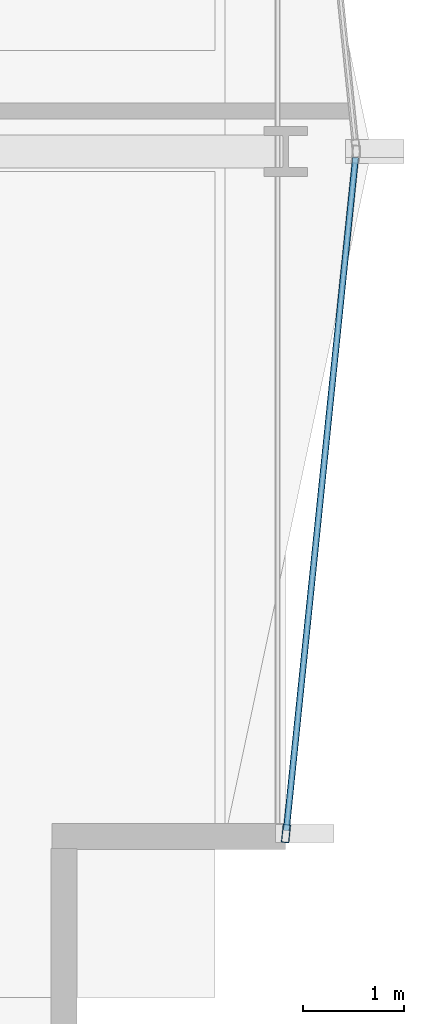
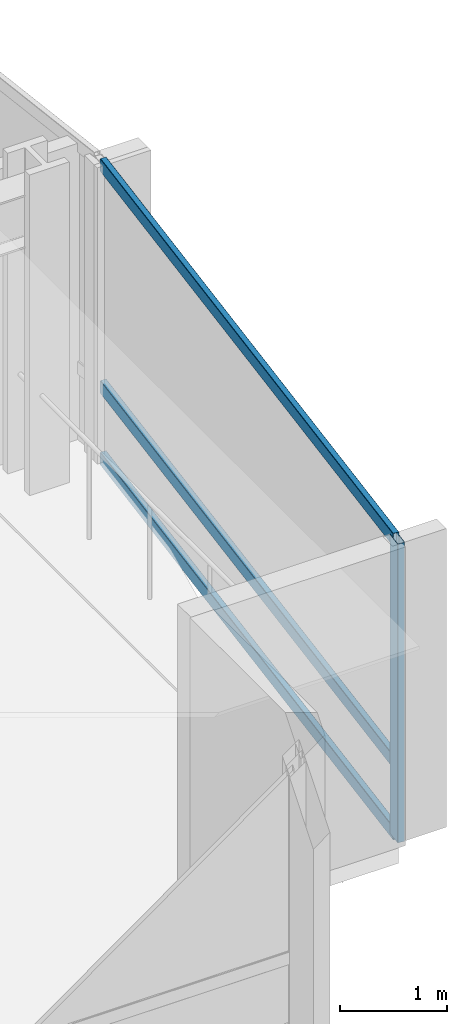
# One storey, part 13 of 34: 4 members, 1 element without a shape of its own.
"""IFC4 building model written with IfcOpenShell, lengths in metres."""

from ifc_helpers import new_model, si_unit, direction, frame, origin, origin_2d, place, context, subcontext, project, spatial, hollow_rectangle, extrude, material, layer, layer_set, material_profile, profile_set, type_object, element, aggregate, save


model = new_model("IFC4")

# Units and contexts
model_context = context("Model", 3, precision=1e-05, world=origin(), true_north=direction((0.0, 1.0)))
body_context = subcontext(model_context, "Body", "Model", "MODEL_VIEW")
ifc_project = project(units=[si_unit("LENGTHUNIT", "METRE"), si_unit("AREAUNIT", "SQUARE_METRE"), si_unit("VOLUMEUNIT", "CUBIC_METRE"), si_unit("PLANEANGLEUNIT", "RADIAN"), si_unit("MASSUNIT", "GRAM", prefix="KILO")], contexts=[model_context])

# Site, building, storey
site_placement = place(None, origin())
site = spatial("IfcSite", under=ifc_project, at=site_placement, CompositionType="ELEMENT")
building_placement = place(site_placement, origin())
building = spatial("IfcBuilding", under=site, at=building_placement, Name="Solvaryn Broadcast Tower", CompositionType="ELEMENT")
storey_placement = place(building_placement, frame((0.0, 0.0, 61.89990234375)))
storey = spatial("IfcBuildingStorey", under=building, at=storey_placement, Name="L14", CompositionType="ELEMENT", Elevation=61.89990234375)

# Curtain wall, members
ifc_material_1 = material(Name="Aluminium and Terracotta Unitised Curtain Wall", Category="masonry")
ifc_layer = layer(ifc_material_1, 0.199951171875)
ifc_layer_set = layer_set([ifc_layer], Name="CW-SYS2-LOWMID")
curtain_wall_type = type_object("IfcCurtainWallType", Name="CW-SYS2-LOWMID", PredefinedType="NOTDEFINED", material=ifc_layer_set)
curtain_wall_placement = place(storey_placement, origin())
curtain_wall = element("IfcCurtainWall", 1, at=curtain_wall_placement, inside=storey, type_object=curtain_wall_type, Name="L14 Curtain Wall ET2", PredefinedType="NOTDEFINED")
ifc_material_2 = material(Name="Anodised Aluminium 6063-T6", Category="aluminium")
ifc_material_profile_1 = material_profile(ifc_material_2, hollow_rectangle(XDim=0.074951171875, YDim=0.179931640625, WallThickness=0.00390625, InnerFilletRadius=0.00390625, OuterFilletRadius=0.008056640625, at=origin_2d()))
ifc_profile_set_1 = profile_set([ifc_material_profile_1], Name="Anodised Aluminium 6063-T6")
member_type_1 = type_object("IfcMemberType", Name="CW-MUL-180", PredefinedType="MULLION", material=ifc_profile_set_1)
member_1_placement = place(storey_placement, frame((63.003173828125, 11.229736328125, 0.0), z_axis=(0.0, 0.0, 1.0), x_axis=(0.99474329889, -0.10240004548, 0.0)))
member_1 = element("IfcMember", 2, at=member_1_placement, type_object=member_type_1, Name="CWS2 mullion 2", PredefinedType="MULLION", context=body_context, shape_type="SweptSolid", body=[
    extrude(hollow_rectangle(XDim=0.074951171875, YDim=0.179931640625, WallThickness=0.00390625, InnerFilletRadius=0.00390625, OuterFilletRadius=0.008056640625, at=origin_2d()), origin(), (0.0, 0.0, 1.0), 3.420166015625),
])
ifc_material_3 = material(Name="Anodised Aluminium 6063-T6", Category="aluminium")
ifc_material_profile_2 = material_profile(ifc_material_3, hollow_rectangle(XDim=0.06494140625, YDim=0.14990234375, WallThickness=0.00390625, InnerFilletRadius=0.00390625, OuterFilletRadius=0.008056640625, at=origin_2d()))
ifc_profile_set_2 = profile_set([ifc_material_profile_2], Name="Anodised Aluminium 6063-T6")
member_type_2 = type_object("IfcMemberType", Name="CW-TRN-150", PredefinedType="USERDEFINED", material=ifc_profile_set_2)
member_2_placement = place(storey_placement, frame((63.69384765625, 17.9404296875, 0.030029296875), z_axis=(-0.102404277363, -0.994742863245, 0.0), x_axis=(0.994742863245, -0.102404277363, 0.0)))
member_2 = element("IfcMember", 3, at=member_2_placement, type_object=member_type_2, Name="CWS2 transom 1.1", ObjectType="TRANSOM", PredefinedType="USERDEFINED", context=body_context, shape_type="SweptSolid", body=[
    extrude(hollow_rectangle(XDim=0.06494140625, YDim=0.14990234375, WallThickness=0.00390625, InnerFilletRadius=0.00390625, OuterFilletRadius=0.008056640625, at=origin_2d()), origin(), (0.0, 0.0, 1.0), 6.716064453125),
])
member_3_placement = place(storey_placement, frame((63.69384765625, 17.9404296875, 0.85009765625), z_axis=(-0.102404277363, -0.994742863245, 0.0), x_axis=(0.994742863245, -0.102404277363, 0.0)))
member_3 = element("IfcMember", 4, at=member_3_placement, type_object=member_type_2, Name="CWS2 transom 1.2", ObjectType="TRANSOM", PredefinedType="USERDEFINED", context=body_context, shape_type="SweptSolid", body=[
    extrude(hollow_rectangle(XDim=0.06494140625, YDim=0.14990234375, WallThickness=0.00390625, InnerFilletRadius=0.00390625, OuterFilletRadius=0.008056640625, at=origin_2d()), origin(), (0.0, 0.0, 1.0), 6.716064453125),
])
member_4_placement = place(storey_placement, frame((63.69384765625, 17.9404296875, 3.39013671875), z_axis=(-0.102404277363, -0.994742863245, 0.0), x_axis=(0.994742863245, -0.102404277363, 0.0)))
member_4 = element("IfcMember", 5, at=member_4_placement, type_object=member_type_2, Name="CWS2 transom 1.3", ObjectType="TRANSOM", PredefinedType="USERDEFINED", context=body_context, shape_type="SweptSolid", body=[
    extrude(hollow_rectangle(XDim=0.06494140625, YDim=0.14990234375, WallThickness=0.00390625, InnerFilletRadius=0.00390625, OuterFilletRadius=0.008056640625, at=origin_2d()), origin(), (0.0, 0.0, 1.0), 6.716064453125),
])
aggregate(curtain_wall, [member_1, member_2, member_3, member_4])

save(model, "model.ifc")
